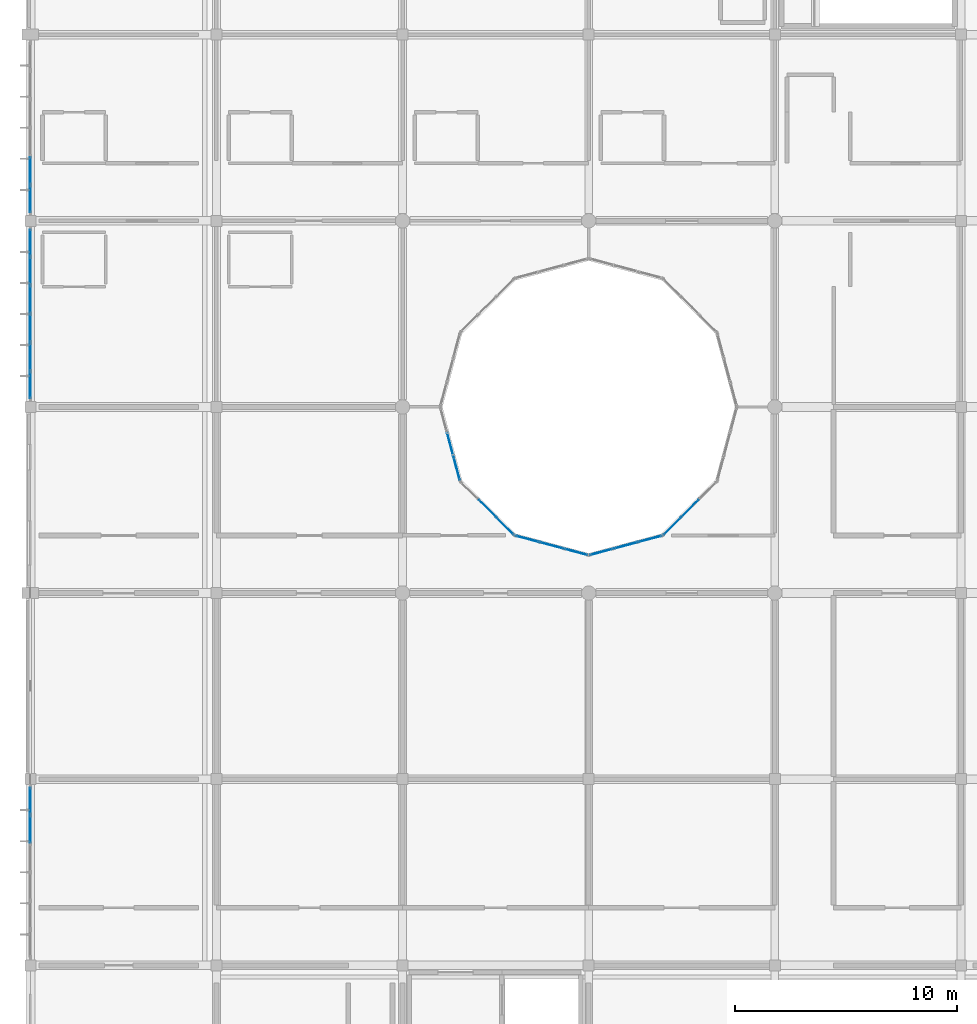
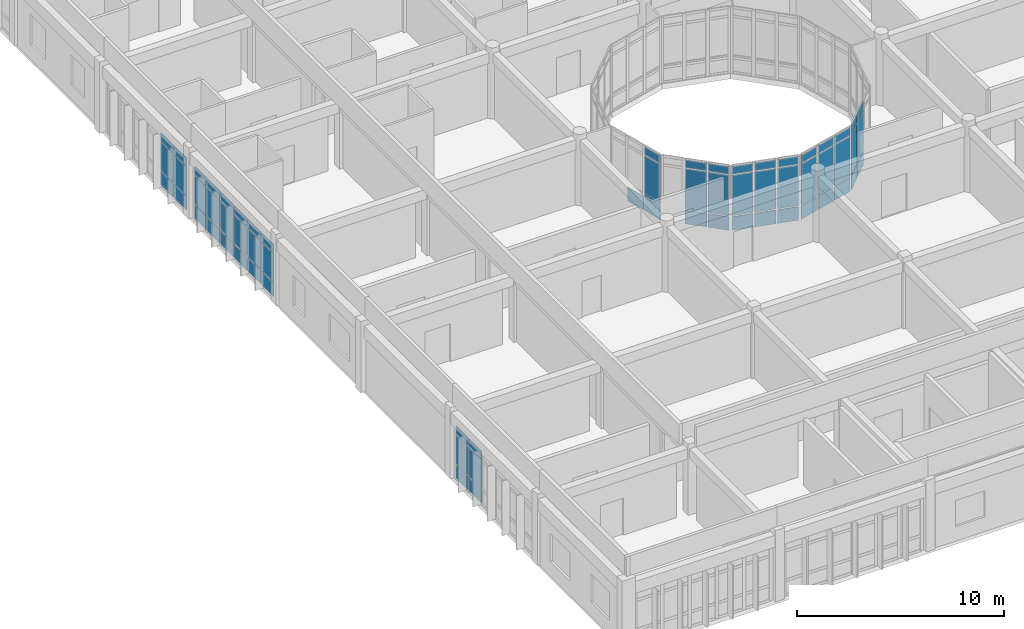
# One storey, part 61 of 119: 64 plates, 8 elements without a shape of their own.
"""IFC4 building model written with IfcOpenShell, lengths in metres."""

from ifc_helpers import new_model, si_unit, direction, frame, origin, origin_2d, place, context, subcontext, project, spatial, rectangle, extrude, material, layer, layer_set, type_object, element, aggregate, save


model = new_model("IFC4")

# Units and contexts
model_context = context("Model", 3, precision=1e-05, world=origin(), true_north=direction((0.0, 1.0)))
body_context = subcontext(model_context, "Body", "Model", "MODEL_VIEW")
ifc_project = project(units=[si_unit("LENGTHUNIT", "METRE"), si_unit("AREAUNIT", "SQUARE_METRE"), si_unit("VOLUMEUNIT", "CUBIC_METRE"), si_unit("PLANEANGLEUNIT", "RADIAN"), si_unit("MASSUNIT", "GRAM", prefix="KILO")], contexts=[model_context])

# Site, building, storey
site_placement = place(None, origin())
site = spatial("IfcSite", under=ifc_project, at=site_placement, CompositionType="ELEMENT")
building_placement = place(site_placement, origin())
building = spatial("IfcBuilding", under=site, at=building_placement, Name="Bramfleet General Hospital", CompositionType="ELEMENT")
storey_placement = place(building_placement, frame((0.0, 0.0, 14.39990234375)))
storey = spatial("IfcBuildingStorey", under=building, at=storey_placement, Name="L03", CompositionType="ELEMENT", Elevation=14.39990234375)

# Curtain wall, plates
ifc_material_1 = material(Name="Anodised aluminium and low-E triple glazing", Category="aluminium")
ifc_layer_1 = layer(ifc_material_1, 0.179931640625, Name="CWT-CW-16")
ifc_layer_set_1 = layer_set([ifc_layer_1], Name="Anodised aluminium and low-E triple glazing")
curtain_wall_type_1 = type_object("IfcCurtainWallType", Name="CWT-CW-16", PredefinedType="USERDEFINED", material=ifc_layer_set_1)
curtain_wall_1_placement = place(storey_placement, origin())
curtain_wall_1 = element("IfcCurtainWall", 1, at=curtain_wall_1_placement, inside=storey, type_object=curtain_wall_type_1, Name="L03 Curtain Wall 142", ObjectType="Stick curtain wall", PredefinedType="USERDEFINED")
ifc_material_2 = material(Name="Low-E laminated safety glass", Category="glass")
ifc_layer_2 = layer(ifc_material_2, 0.031982421875, Name="CWP-GLZ-2")
ifc_layer_set_2 = layer_set([ifc_layer_2], Name="Low-E laminated safety glass")
plate_type_1 = type_object("IfcPlateType", Name="CWP-GLZ-2", PredefinedType="CURTAIN_PANEL", material=ifc_layer_set_2)
plate_1_placement = place(storey_placement, frame((0.0, 64.9375, 0.06494140625), z_axis=(0.0, 0.0, 1.0), x_axis=(0.0, 1.0, 0.0)))
plate_1 = element("IfcPlate", 2, at=plate_1_placement, type_object=plate_type_1, Name="CW-16 panel 5.1", PredefinedType="CURTAIN_PANEL", context=body_context, shape_type="SweptSolid", body=[
    extrude(rectangle(XDim=1.2216796875, YDim=0.031982421875, at=origin_2d()), origin(), (0.0, 0.0, 1.0), 0.802490234375),
])
plate_2_placement = place(storey_placement, frame((0.0, 64.9375, 0.9326171875), z_axis=(0.0, 0.0, 1.0), x_axis=(0.0, 1.0, 0.0)))
plate_2 = element("IfcPlate", 3, at=plate_2_placement, type_object=plate_type_1, Name="CW-16 panel 5.2", PredefinedType="CURTAIN_PANEL", context=body_context, shape_type="SweptSolid", body=[
    extrude(rectangle(XDim=1.2216796875, YDim=0.031982421875, at=origin_2d()), origin(), (0.0, 0.0, 1.0), 1.675048828125),
])
plate_3_placement = place(storey_placement, frame((0.0, 64.9375, 2.6728515625), z_axis=(0.0, 0.0, 1.0), x_axis=(0.0, 1.0, 0.0)))
plate_3 = element("IfcPlate", 4, at=plate_3_placement, type_object=plate_type_1, Name="CW-16 panel 5.3", PredefinedType="CURTAIN_PANEL", context=body_context, shape_type="SweptSolid", body=[
    extrude(rectangle(XDim=1.2216796875, YDim=0.031982421875, at=origin_2d()), origin(), (0.0, 0.0, 1.0), 0.452392578125),
])
plate_4_placement = place(storey_placement, frame((0.0, 66.211669921875, 0.06494140625), z_axis=(0.0, 0.0, 1.0), x_axis=(0.0, 1.0, 0.0)))
plate_4 = element("IfcPlate", 5, at=plate_4_placement, type_object=plate_type_1, Name="CW-16 panel 6.1", PredefinedType="CURTAIN_PANEL", context=body_context, shape_type="SweptSolid", body=[
    extrude(rectangle(XDim=1.186767578125, YDim=0.031982421875, at=origin_2d()), origin(), (0.0, 0.0, 1.0), 0.802490234375),
])
plate_5_placement = place(storey_placement, frame((0.0, 66.211669921875, 0.9326171875), z_axis=(0.0, 0.0, 1.0), x_axis=(0.0, 1.0, 0.0)))
plate_5 = element("IfcPlate", 6, at=plate_5_placement, type_object=plate_type_1, Name="CW-16 panel 6.2", PredefinedType="CURTAIN_PANEL", context=body_context, shape_type="SweptSolid", body=[
    extrude(rectangle(XDim=1.186767578125, YDim=0.031982421875, at=origin_2d()), origin(), (0.0, 0.0, 1.0), 1.675048828125),
])
plate_6_placement = place(storey_placement, frame((0.0, 66.211669921875, 2.6728515625), z_axis=(0.0, 0.0, 1.0), x_axis=(0.0, 1.0, 0.0)))
plate_6 = element("IfcPlate", 7, at=plate_6_placement, type_object=plate_type_1, Name="CW-16 panel 6.3", PredefinedType="CURTAIN_PANEL", context=body_context, shape_type="SweptSolid", body=[
    extrude(rectangle(XDim=1.186767578125, YDim=0.031982421875, at=origin_2d()), origin(), (0.0, 0.0, 1.0), 0.452392578125),
])
aggregate(curtain_wall_1, [plate_1, plate_2, plate_3, plate_4, plate_5, plate_6])

ifc_layer_3 = layer(ifc_material_1, 0.179931640625, Name="CWT-CW-17")
ifc_layer_set_3 = layer_set([ifc_layer_3], Name="Anodised aluminium and low-E triple glazing")
curtain_wall_type_2 = type_object("IfcCurtainWallType", Name="CWT-CW-17", PredefinedType="USERDEFINED", material=ifc_layer_set_3)
curtain_wall_2_placement = place(storey_placement, origin())
curtain_wall_2 = element("IfcCurtainWall", 8, at=curtain_wall_2_placement, inside=storey, type_object=curtain_wall_type_2, Name="L03 West Clinical Light Court Curtain Wall 1.1", ObjectType="Stick curtain wall", PredefinedType="USERDEFINED")
plate_7_placement = place(storey_placement, frame((18.948974609375, 82.324951171875, 0.06494140625), z_axis=(0.0, 0.0, 1.0), x_axis=(0.25891863407, -0.965899136003, 0.0)))
plate_7 = element("IfcPlate", 9, at=plate_7_placement, type_object=plate_type_1, Name="CW-17 panel 2.1", PredefinedType="CURTAIN_PANEL", context=body_context, shape_type="SweptSolid", body=[
    extrude(rectangle(XDim=1.086181640625, YDim=0.031982421875, at=origin_2d()), origin(), (0.0, 0.0, 1.0), 0.802490234375),
])
plate_8_placement = place(storey_placement, frame((19.243896484375, 81.225341796875, 0.06494140625), z_axis=(0.0, 0.0, 1.0), x_axis=(0.25891863407, -0.965899136003, 0.0)))
plate_8 = element("IfcPlate", 10, at=plate_8_placement, type_object=plate_type_1, Name="CW-17 panel 3.1", PredefinedType="CURTAIN_PANEL", context=body_context, shape_type="SweptSolid", body=[
    extrude(rectangle(XDim=1.051025390625, YDim=0.031982421875, at=origin_2d()), origin(), (0.0, 0.0, 1.0), 0.802490234375),
])
plate_9_placement = place(storey_placement, frame((19.243896484375, 81.225341796875, 0.9326171875), z_axis=(0.0, 0.0, 1.0), x_axis=(0.25891863407, -0.965899136003, 0.0)))
plate_9 = element("IfcPlate", 11, at=plate_9_placement, type_object=plate_type_1, Name="CW-17 panel 3.2", PredefinedType="CURTAIN_PANEL", context=body_context, shape_type="SweptSolid", body=[
    extrude(rectangle(XDim=1.051025390625, YDim=0.031982421875, at=origin_2d()), origin(), (0.0, 0.0, 1.0), 2.375),
])
plate_10_placement = place(storey_placement, frame((19.243896484375, 81.225341796875, 3.37255859375), z_axis=(0.0, 0.0, 1.0), x_axis=(0.25891863407, -0.965899136003, 0.0)))
plate_10 = element("IfcPlate", 12, at=plate_10_placement, type_object=plate_type_1, Name="CW-17 panel 3.3", PredefinedType="CURTAIN_PANEL", context=body_context, shape_type="SweptSolid", body=[
    extrude(rectangle(XDim=1.051025390625, YDim=0.031982421875, at=origin_2d()), origin(), (0.0, 0.0, 1.0), 0.452392578125),
])
aggregate(curtain_wall_2, [plate_7, plate_8, plate_9, plate_10])

ifc_layer_4 = layer(ifc_material_1, 0.179931640625, Name="CWT-CW-18")
ifc_layer_set_4 = layer_set([ifc_layer_4], Name="Anodised aluminium and low-E triple glazing")
curtain_wall_type_3 = type_object("IfcCurtainWallType", Name="CWT-CW-18", PredefinedType="USERDEFINED", material=ifc_layer_set_4)
curtain_wall_3_placement = place(storey_placement, origin())
curtain_wall_3 = element("IfcCurtainWall", 13, at=curtain_wall_3_placement, inside=storey, type_object=curtain_wall_type_3, Name="L03 West Clinical Light Court Curtain Wall 2.1", ObjectType="Stick curtain wall", PredefinedType="USERDEFINED")
plate_11_placement = place(storey_placement, frame((20.6240234375, 79.424072265625, 0.06494140625), z_axis=(0.0, 0.0, 1.0), x_axis=(0.707106781187, -0.707106781187, 0.0)))
plate_11 = element("IfcPlate", 14, at=plate_11_placement, type_object=plate_type_1, Name="CW-18 panel 2.1", PredefinedType="CURTAIN_PANEL", context=body_context, shape_type="SweptSolid", body=[
    extrude(rectangle(XDim=1.0859375, YDim=0.031982421875, at=origin_2d()), origin(), (0.0, 0.0, 1.0), 0.802490234375),
])
plate_12_placement = place(storey_placement, frame((20.6240234375, 79.424072265625, 0.9326171875), z_axis=(0.0, 0.0, 1.0), x_axis=(0.707106781187, -0.707106781187, 0.0)))
plate_12 = element("IfcPlate", 15, at=plate_12_placement, type_object=plate_type_1, Name="CW-18 panel 2.2", PredefinedType="CURTAIN_PANEL", context=body_context, shape_type="SweptSolid", body=[
    extrude(rectangle(XDim=1.0859375, YDim=0.031982421875, at=origin_2d()), origin(), (0.0, 0.0, 1.0), 2.375),
])
plate_13_placement = place(storey_placement, frame((20.6240234375, 79.424072265625, 3.37255859375), z_axis=(0.0, 0.0, 1.0), x_axis=(0.707106781187, -0.707106781187, 0.0)))
plate_13 = element("IfcPlate", 16, at=plate_13_placement, type_object=plate_type_1, Name="CW-18 panel 2.3", PredefinedType="CURTAIN_PANEL", context=body_context, shape_type="SweptSolid", body=[
    extrude(rectangle(XDim=1.0859375, YDim=0.031982421875, at=origin_2d()), origin(), (0.0, 0.0, 1.0), 0.452392578125),
])
plate_14_placement = place(storey_placement, frame((21.428955078125, 78.619140625, 0.06494140625), z_axis=(0.0, 0.0, 1.0), x_axis=(0.707106781187, -0.707106781187, 0.0)))
plate_14 = element("IfcPlate", 17, at=plate_14_placement, type_object=plate_type_1, Name="CW-18 panel 3.1", PredefinedType="CURTAIN_PANEL", context=body_context, shape_type="SweptSolid", body=[
    extrude(rectangle(XDim=1.05078125, YDim=0.031982421875, at=origin_2d()), origin(), (0.0, 0.0, 1.0), 0.802490234375),
])
plate_15_placement = place(storey_placement, frame((21.428955078125, 78.619140625, 0.9326171875), z_axis=(0.0, 0.0, 1.0), x_axis=(0.707106781187, -0.707106781187, 0.0)))
plate_15 = element("IfcPlate", 18, at=plate_15_placement, type_object=plate_type_1, Name="CW-18 panel 3.2", PredefinedType="CURTAIN_PANEL", context=body_context, shape_type="SweptSolid", body=[
    extrude(rectangle(XDim=1.05078125, YDim=0.031982421875, at=origin_2d()), origin(), (0.0, 0.0, 1.0), 2.375),
])
plate_16_placement = place(storey_placement, frame((21.428955078125, 78.619140625, 3.37255859375), z_axis=(0.0, 0.0, 1.0), x_axis=(0.707106781187, -0.707106781187, 0.0)))
plate_16 = element("IfcPlate", 19, at=plate_16_placement, type_object=plate_type_1, Name="CW-18 panel 3.3", PredefinedType="CURTAIN_PANEL", context=body_context, shape_type="SweptSolid", body=[
    extrude(rectangle(XDim=1.05078125, YDim=0.031982421875, at=origin_2d()), origin(), (0.0, 0.0, 1.0), 0.452392578125),
])
aggregate(curtain_wall_3, [plate_11, plate_12, plate_13, plate_14, plate_15, plate_16])

ifc_layer_5 = layer(ifc_material_1, 0.179931640625, Name="CWT-CW-11")
ifc_layer_set_5 = layer_set([ifc_layer_5], Name="Anodised aluminium and low-E triple glazing")
curtain_wall_type_4 = type_object("IfcCurtainWallType", Name="CWT-CW-11", PredefinedType="USERDEFINED", material=ifc_layer_set_5)
curtain_wall_4_placement = place(storey_placement, origin())
curtain_wall_4 = element("IfcCurtainWall", 20, at=curtain_wall_4_placement, inside=storey, type_object=curtain_wall_type_4, Name="L03 West Clinical Light Court Curtain Wall 3.1", ObjectType="Stick curtain wall", PredefinedType="USERDEFINED")
plate_17_placement = place(storey_placement, frame((22.42529296875, 78.043701171875, 0.06494140625), z_axis=(0.0, 0.0, 1.0), x_axis=(0.965899136003, -0.25891863407, 0.0)))
plate_17 = element("IfcPlate", 21, at=plate_17_placement, type_object=plate_type_1, Name="CW-11 panel 1.1", PredefinedType="CURTAIN_PANEL", context=body_context, shape_type="SweptSolid", body=[
    extrude(rectangle(XDim=1.051025390625, YDim=0.031982421875, at=origin_2d()), origin(), (0.0, 0.0, 1.0), 0.802490234375),
])
plate_18_placement = place(storey_placement, frame((22.42529296875, 78.043701171875, 0.9326171875), z_axis=(0.0, 0.0, 1.0), x_axis=(0.965899136003, -0.25891863407, 0.0)))
plate_18 = element("IfcPlate", 22, at=plate_18_placement, type_object=plate_type_1, Name="CW-11 panel 1.2", PredefinedType="CURTAIN_PANEL", context=body_context, shape_type="SweptSolid", body=[
    extrude(rectangle(XDim=1.051025390625, YDim=0.031982421875, at=origin_2d()), origin(), (0.0, 0.0, 1.0), 2.375),
])
plate_19_placement = place(storey_placement, frame((22.42529296875, 78.043701171875, 3.37255859375), z_axis=(0.0, 0.0, 1.0), x_axis=(0.965899136003, -0.25891863407, 0.0)))
plate_19 = element("IfcPlate", 23, at=plate_19_placement, type_object=plate_type_1, Name="CW-11 panel 1.3", PredefinedType="CURTAIN_PANEL", context=body_context, shape_type="SweptSolid", body=[
    extrude(rectangle(XDim=1.051025390625, YDim=0.031982421875, at=origin_2d()), origin(), (0.0, 0.0, 1.0), 0.452392578125),
])
plate_20_placement = place(storey_placement, frame((23.52490234375, 77.7490234375, 0.06494140625), z_axis=(0.0, 0.0, 1.0), x_axis=(0.965899136003, -0.25891863407, 0.0)))
plate_20 = element("IfcPlate", 24, at=plate_20_placement, type_object=plate_type_1, Name="CW-11 panel 2.1", PredefinedType="CURTAIN_PANEL", context=body_context, shape_type="SweptSolid", body=[
    extrude(rectangle(XDim=1.086181640625, YDim=0.031982421875, at=origin_2d()), origin(), (0.0, 0.0, 1.0), 0.802490234375),
])
plate_21_placement = place(storey_placement, frame((23.52490234375, 77.7490234375, 0.9326171875), z_axis=(0.0, 0.0, 1.0), x_axis=(0.965899136003, -0.25891863407, 0.0)))
plate_21 = element("IfcPlate", 25, at=plate_21_placement, type_object=plate_type_1, Name="CW-11 panel 2.2", PredefinedType="CURTAIN_PANEL", context=body_context, shape_type="SweptSolid", body=[
    extrude(rectangle(XDim=1.086181640625, YDim=0.031982421875, at=origin_2d()), origin(), (0.0, 0.0, 1.0), 2.375),
])
plate_22_placement = place(storey_placement, frame((23.52490234375, 77.7490234375, 3.37255859375), z_axis=(0.0, 0.0, 1.0), x_axis=(0.965899136003, -0.25891863407, 0.0)))
plate_22 = element("IfcPlate", 26, at=plate_22_placement, type_object=plate_type_1, Name="CW-11 panel 2.3", PredefinedType="CURTAIN_PANEL", context=body_context, shape_type="SweptSolid", body=[
    extrude(rectangle(XDim=1.086181640625, YDim=0.031982421875, at=origin_2d()), origin(), (0.0, 0.0, 1.0), 0.452392578125),
])
plate_23_placement = place(storey_placement, frame((24.624755859375, 77.4541015625, 0.06494140625), z_axis=(0.0, 0.0, 1.0), x_axis=(0.965899136003, -0.25891863407, 0.0)))
plate_23 = element("IfcPlate", 27, at=plate_23_placement, type_object=plate_type_1, Name="CW-11 panel 3.1", PredefinedType="CURTAIN_PANEL", context=body_context, shape_type="SweptSolid", body=[
    extrude(rectangle(XDim=1.051025390625, YDim=0.031982421875, at=origin_2d()), origin(), (0.0, 0.0, 1.0), 0.802490234375),
])
plate_24_placement = place(storey_placement, frame((24.624755859375, 77.4541015625, 0.9326171875), z_axis=(0.0, 0.0, 1.0), x_axis=(0.965899136003, -0.25891863407, 0.0)))
plate_24 = element("IfcPlate", 28, at=plate_24_placement, type_object=plate_type_1, Name="CW-11 panel 3.2", PredefinedType="CURTAIN_PANEL", context=body_context, shape_type="SweptSolid", body=[
    extrude(rectangle(XDim=1.051025390625, YDim=0.031982421875, at=origin_2d()), origin(), (0.0, 0.0, 1.0), 2.375),
])
plate_25_placement = place(storey_placement, frame((24.624755859375, 77.4541015625, 3.37255859375), z_axis=(0.0, 0.0, 1.0), x_axis=(0.965899136003, -0.25891863407, 0.0)))
plate_25 = element("IfcPlate", 29, at=plate_25_placement, type_object=plate_type_1, Name="CW-11 panel 3.3", PredefinedType="CURTAIN_PANEL", context=body_context, shape_type="SweptSolid", body=[
    extrude(rectangle(XDim=1.051025390625, YDim=0.031982421875, at=origin_2d()), origin(), (0.0, 0.0, 1.0), 0.452392578125),
])
aggregate(curtain_wall_4, [plate_17, plate_18, plate_19, plate_20, plate_21, plate_22, plate_23, plate_24, plate_25])

ifc_layer_6 = layer(ifc_material_1, 0.179931640625, Name="CWT-CW-12")
ifc_layer_set_6 = layer_set([ifc_layer_6], Name="Anodised aluminium and low-E triple glazing")
curtain_wall_type_5 = type_object("IfcCurtainWallType", Name="CWT-CW-12", PredefinedType="USERDEFINED", material=ifc_layer_set_6)
curtain_wall_5_placement = place(storey_placement, origin())
curtain_wall_5 = element("IfcCurtainWall", 30, at=curtain_wall_5_placement, inside=storey, type_object=curtain_wall_type_5, Name="L03 West Clinical Light Court Curtain Wall 4.1", ObjectType="Stick curtain wall", PredefinedType="USERDEFINED")
plate_26_placement = place(storey_placement, frame((25.775146484375, 77.4541015625, 0.06494140625), z_axis=(0.0, 0.0, 1.0), x_axis=(0.965899136003, 0.25891863407, 0.0)))
plate_26 = element("IfcPlate", 31, at=plate_26_placement, type_object=plate_type_1, Name="CW-12 panel 1.1", PredefinedType="CURTAIN_PANEL", context=body_context, shape_type="SweptSolid", body=[
    extrude(rectangle(XDim=1.051025390625, YDim=0.031982421875, at=origin_2d()), origin(), (0.0, 0.0, 1.0), 0.802490234375),
])
plate_27_placement = place(storey_placement, frame((25.775146484375, 77.4541015625, 0.9326171875), z_axis=(0.0, 0.0, 1.0), x_axis=(0.965899136003, 0.25891863407, 0.0)))
plate_27 = element("IfcPlate", 32, at=plate_27_placement, type_object=plate_type_1, Name="CW-12 panel 1.2", PredefinedType="CURTAIN_PANEL", context=body_context, shape_type="SweptSolid", body=[
    extrude(rectangle(XDim=1.051025390625, YDim=0.031982421875, at=origin_2d()), origin(), (0.0, 0.0, 1.0), 2.375),
])
plate_28_placement = place(storey_placement, frame((25.775146484375, 77.4541015625, 3.37255859375), z_axis=(0.0, 0.0, 1.0), x_axis=(0.965899136003, 0.25891863407, 0.0)))
plate_28 = element("IfcPlate", 33, at=plate_28_placement, type_object=plate_type_1, Name="CW-12 panel 1.3", PredefinedType="CURTAIN_PANEL", context=body_context, shape_type="SweptSolid", body=[
    extrude(rectangle(XDim=1.051025390625, YDim=0.031982421875, at=origin_2d()), origin(), (0.0, 0.0, 1.0), 0.452392578125),
])
plate_29_placement = place(storey_placement, frame((26.875, 77.7490234375, 0.06494140625), z_axis=(0.0, 0.0, 1.0), x_axis=(0.965899136003, 0.25891863407, 0.0)))
plate_29 = element("IfcPlate", 34, at=plate_29_placement, type_object=plate_type_1, Name="CW-12 panel 2.1", PredefinedType="CURTAIN_PANEL", context=body_context, shape_type="SweptSolid", body=[
    extrude(rectangle(XDim=1.086181640625, YDim=0.031982421875, at=origin_2d()), origin(), (0.0, 0.0, 1.0), 0.802490234375),
])
plate_30_placement = place(storey_placement, frame((26.875, 77.7490234375, 0.9326171875), z_axis=(0.0, 0.0, 1.0), x_axis=(0.965899136003, 0.25891863407, 0.0)))
plate_30 = element("IfcPlate", 35, at=plate_30_placement, type_object=plate_type_1, Name="CW-12 panel 2.2", PredefinedType="CURTAIN_PANEL", context=body_context, shape_type="SweptSolid", body=[
    extrude(rectangle(XDim=1.086181640625, YDim=0.031982421875, at=origin_2d()), origin(), (0.0, 0.0, 1.0), 2.375),
])
plate_31_placement = place(storey_placement, frame((26.875, 77.7490234375, 3.37255859375), z_axis=(0.0, 0.0, 1.0), x_axis=(0.965899136003, 0.25891863407, 0.0)))
plate_31 = element("IfcPlate", 36, at=plate_31_placement, type_object=plate_type_1, Name="CW-12 panel 2.3", PredefinedType="CURTAIN_PANEL", context=body_context, shape_type="SweptSolid", body=[
    extrude(rectangle(XDim=1.086181640625, YDim=0.031982421875, at=origin_2d()), origin(), (0.0, 0.0, 1.0), 0.452392578125),
])
plate_32_placement = place(storey_placement, frame((27.974853515625, 78.043701171875, 0.06494140625), z_axis=(0.0, 0.0, 1.0), x_axis=(0.965899136003, 0.25891863407, 0.0)))
plate_32 = element("IfcPlate", 37, at=plate_32_placement, type_object=plate_type_1, Name="CW-12 panel 3.1", PredefinedType="CURTAIN_PANEL", context=body_context, shape_type="SweptSolid", body=[
    extrude(rectangle(XDim=1.051025390625, YDim=0.031982421875, at=origin_2d()), origin(), (0.0, 0.0, 1.0), 0.802490234375),
])
plate_33_placement = place(storey_placement, frame((27.974853515625, 78.043701171875, 0.9326171875), z_axis=(0.0, 0.0, 1.0), x_axis=(0.965899136003, 0.25891863407, 0.0)))
plate_33 = element("IfcPlate", 38, at=plate_33_placement, type_object=plate_type_1, Name="CW-12 panel 3.2", PredefinedType="CURTAIN_PANEL", context=body_context, shape_type="SweptSolid", body=[
    extrude(rectangle(XDim=1.051025390625, YDim=0.031982421875, at=origin_2d()), origin(), (0.0, 0.0, 1.0), 2.375),
])
plate_34_placement = place(storey_placement, frame((27.974853515625, 78.043701171875, 3.37255859375), z_axis=(0.0, 0.0, 1.0), x_axis=(0.965899136003, 0.25891863407, 0.0)))
plate_34 = element("IfcPlate", 39, at=plate_34_placement, type_object=plate_type_1, Name="CW-12 panel 3.3", PredefinedType="CURTAIN_PANEL", context=body_context, shape_type="SweptSolid", body=[
    extrude(rectangle(XDim=1.051025390625, YDim=0.031982421875, at=origin_2d()), origin(), (0.0, 0.0, 1.0), 0.452392578125),
])
aggregate(curtain_wall_5, [plate_26, plate_27, plate_28, plate_29, plate_30, plate_31, plate_32, plate_33, plate_34])

ifc_layer_7 = layer(ifc_material_1, 0.179931640625, Name="CWT-CW-13")
ifc_layer_set_7 = layer_set([ifc_layer_7], Name="Anodised aluminium and low-E triple glazing")
curtain_wall_type_6 = type_object("IfcCurtainWallType", Name="CWT-CW-13", PredefinedType="USERDEFINED", material=ifc_layer_set_7)
curtain_wall_6_placement = place(storey_placement, origin())
curtain_wall_6 = element("IfcCurtainWall", 40, at=curtain_wall_6_placement, inside=storey, type_object=curtain_wall_type_6, Name="L03 West Clinical Light Court Curtain Wall 5.1", ObjectType="Stick curtain wall", PredefinedType="USERDEFINED")
plate_35_placement = place(storey_placement, frame((28.970947265625, 78.619140625, 0.06494140625), z_axis=(0.0, 0.0, 1.0), x_axis=(0.707106781187, 0.707106781187, 0.0)))
plate_35 = element("IfcPlate", 41, at=plate_35_placement, type_object=plate_type_1, Name="CW-13 panel 1.1", PredefinedType="CURTAIN_PANEL", context=body_context, shape_type="SweptSolid", body=[
    extrude(rectangle(XDim=1.05078125, YDim=0.031982421875, at=origin_2d()), origin(), (0.0, 0.0, 1.0), 0.802490234375),
])
plate_36_placement = place(storey_placement, frame((28.970947265625, 78.619140625, 0.9326171875), z_axis=(0.0, 0.0, 1.0), x_axis=(0.707106781187, 0.707106781187, 0.0)))
plate_36 = element("IfcPlate", 42, at=plate_36_placement, type_object=plate_type_1, Name="CW-13 panel 1.2", PredefinedType="CURTAIN_PANEL", context=body_context, shape_type="SweptSolid", body=[
    extrude(rectangle(XDim=1.05078125, YDim=0.031982421875, at=origin_2d()), origin(), (0.0, 0.0, 1.0), 2.375),
])
plate_37_placement = place(storey_placement, frame((28.970947265625, 78.619140625, 3.37255859375), z_axis=(0.0, 0.0, 1.0), x_axis=(0.707106781187, 0.707106781187, 0.0)))
plate_37 = element("IfcPlate", 43, at=plate_37_placement, type_object=plate_type_1, Name="CW-13 panel 1.3", PredefinedType="CURTAIN_PANEL", context=body_context, shape_type="SweptSolid", body=[
    extrude(rectangle(XDim=1.05078125, YDim=0.031982421875, at=origin_2d()), origin(), (0.0, 0.0, 1.0), 0.452392578125),
])
plate_38_placement = place(storey_placement, frame((29.77587890625, 79.424072265625, 0.06494140625), z_axis=(0.0, 0.0, 1.0), x_axis=(0.707106781187, 0.707106781187, 0.0)))
plate_38 = element("IfcPlate", 44, at=plate_38_placement, type_object=plate_type_1, Name="CW-13 panel 2.1", PredefinedType="CURTAIN_PANEL", context=body_context, shape_type="SweptSolid", body=[
    extrude(rectangle(XDim=1.0859375, YDim=0.031982421875, at=origin_2d()), origin(), (0.0, 0.0, 1.0), 0.802490234375),
])
plate_39_placement = place(storey_placement, frame((29.77587890625, 79.424072265625, 0.9326171875), z_axis=(0.0, 0.0, 1.0), x_axis=(0.707106781187, 0.707106781187, 0.0)))
plate_39 = element("IfcPlate", 45, at=plate_39_placement, type_object=plate_type_1, Name="CW-13 panel 2.2", PredefinedType="CURTAIN_PANEL", context=body_context, shape_type="SweptSolid", body=[
    extrude(rectangle(XDim=1.0859375, YDim=0.031982421875, at=origin_2d()), origin(), (0.0, 0.0, 1.0), 2.375),
])
plate_40_placement = place(storey_placement, frame((29.77587890625, 79.424072265625, 3.37255859375), z_axis=(0.0, 0.0, 1.0), x_axis=(0.707106781187, 0.707106781187, 0.0)))
plate_40 = element("IfcPlate", 46, at=plate_40_placement, type_object=plate_type_1, Name="CW-13 panel 2.3", PredefinedType="CURTAIN_PANEL", context=body_context, shape_type="SweptSolid", body=[
    extrude(rectangle(XDim=1.0859375, YDim=0.031982421875, at=origin_2d()), origin(), (0.0, 0.0, 1.0), 0.452392578125),
])
aggregate(curtain_wall_6, [plate_35, plate_36, plate_37, plate_38, plate_39, plate_40])

curtain_wall_7_placement = place(storey_placement, origin())
curtain_wall_7 = element("IfcCurtainWall", 47, at=curtain_wall_7_placement, inside=storey, type_object=curtain_wall_type_2, Name="L03 Curtain Wall 143", ObjectType="Stick curtain wall", PredefinedType="USERDEFINED")
ifc_layer_8 = layer(ifc_material_2, 0.035888671875, Name="CWP-GLZ-3")
ifc_layer_set_8 = layer_set([ifc_layer_8], Name="Low-E laminated safety glass")
plate_type_2 = type_object("IfcPlateType", Name="CWP-GLZ-3", PredefinedType="CURTAIN_PANEL", material=ifc_layer_set_8)
plate_41_placement = place(storey_placement, frame((0.0, 84.98828125, 0.06494140625), z_axis=(0.0, 0.0, 1.0), x_axis=(0.0, 1.0, 0.0)))
plate_41 = element("IfcPlate", 48, at=plate_41_placement, type_object=plate_type_2, Name="CW-17 panel 1.1", PredefinedType="CURTAIN_PANEL", context=body_context, shape_type="SweptSolid", body=[
    extrude(rectangle(XDim=1.186767578125, YDim=0.035888671875, at=origin_2d()), origin(), (0.0, 0.0, 1.0), 0.802490234375),
])
plate_42_placement = place(storey_placement, frame((0.0, 84.98828125, 0.9326171875), z_axis=(0.0, 0.0, 1.0), x_axis=(0.0, 1.0, 0.0)))
plate_42 = element("IfcPlate", 49, at=plate_42_placement, type_object=plate_type_2, Name="CW-17 panel 1.2", PredefinedType="CURTAIN_PANEL", context=body_context, shape_type="SweptSolid", body=[
    extrude(rectangle(XDim=1.186767578125, YDim=0.035888671875, at=origin_2d()), origin(), (0.0, 0.0, 1.0), 1.675048828125),
])
plate_43_placement = place(storey_placement, frame((0.0, 84.98828125, 2.6728515625), z_axis=(0.0, 0.0, 1.0), x_axis=(0.0, 1.0, 0.0)))
plate_43 = element("IfcPlate", 50, at=plate_43_placement, type_object=plate_type_2, Name="CW-17 panel 1.3", PredefinedType="CURTAIN_PANEL", context=body_context, shape_type="SweptSolid", body=[
    extrude(rectangle(XDim=1.186767578125, YDim=0.035888671875, at=origin_2d()), origin(), (0.0, 0.0, 1.0), 0.452392578125),
])
plate_44_placement = place(storey_placement, frame((0.0, 86.262451171875, 0.06494140625), z_axis=(0.0, 0.0, 1.0), x_axis=(0.0, 1.0, 0.0)))
plate_44 = element("IfcPlate", 51, at=plate_44_placement, type_object=plate_type_2, Name="CW-17 panel 2.1", PredefinedType="CURTAIN_PANEL", context=body_context, shape_type="SweptSolid", body=[
    extrude(rectangle(XDim=1.2216796875, YDim=0.035888671875, at=origin_2d()), origin(), (0.0, 0.0, 1.0), 0.802490234375),
])
plate_45_placement = place(storey_placement, frame((0.0, 86.262451171875, 0.9326171875), z_axis=(0.0, 0.0, 1.0), x_axis=(0.0, 1.0, 0.0)))
plate_45 = element("IfcPlate", 52, at=plate_45_placement, type_object=plate_type_2, Name="CW-17 panel 2.2", PredefinedType="CURTAIN_PANEL", context=body_context, shape_type="SweptSolid", body=[
    extrude(rectangle(XDim=1.2216796875, YDim=0.035888671875, at=origin_2d()), origin(), (0.0, 0.0, 1.0), 1.675048828125),
])
plate_46_placement = place(storey_placement, frame((0.0, 86.262451171875, 2.6728515625), z_axis=(0.0, 0.0, 1.0), x_axis=(0.0, 1.0, 0.0)))
plate_46 = element("IfcPlate", 53, at=plate_46_placement, type_object=plate_type_2, Name="CW-17 panel 2.3", PredefinedType="CURTAIN_PANEL", context=body_context, shape_type="SweptSolid", body=[
    extrude(rectangle(XDim=1.2216796875, YDim=0.035888671875, at=origin_2d()), origin(), (0.0, 0.0, 1.0), 0.452392578125),
])
plate_47_placement = place(storey_placement, frame((0.0, 87.55419921875, 0.06494140625), z_axis=(0.0, 0.0, 1.0), x_axis=(0.0, 1.0, 0.0)))
plate_47 = element("IfcPlate", 54, at=plate_47_placement, type_object=plate_type_2, Name="CW-17 panel 3.1", PredefinedType="CURTAIN_PANEL", context=body_context, shape_type="SweptSolid", body=[
    extrude(rectangle(XDim=1.2216796875, YDim=0.035888671875, at=origin_2d()), origin(), (0.0, 0.0, 1.0), 0.802490234375),
])
plate_48_placement = place(storey_placement, frame((0.0, 87.55419921875, 0.9326171875), z_axis=(0.0, 0.0, 1.0), x_axis=(0.0, 1.0, 0.0)))
plate_48 = element("IfcPlate", 55, at=plate_48_placement, type_object=plate_type_2, Name="CW-17 panel 3.2", PredefinedType="CURTAIN_PANEL", context=body_context, shape_type="SweptSolid", body=[
    extrude(rectangle(XDim=1.2216796875, YDim=0.035888671875, at=origin_2d()), origin(), (0.0, 0.0, 1.0), 1.675048828125),
])
plate_49_placement = place(storey_placement, frame((0.0, 87.55419921875, 2.6728515625), z_axis=(0.0, 0.0, 1.0), x_axis=(0.0, 1.0, 0.0)))
plate_49 = element("IfcPlate", 56, at=plate_49_placement, type_object=plate_type_2, Name="CW-17 panel 3.3", PredefinedType="CURTAIN_PANEL", context=body_context, shape_type="SweptSolid", body=[
    extrude(rectangle(XDim=1.2216796875, YDim=0.035888671875, at=origin_2d()), origin(), (0.0, 0.0, 1.0), 0.452392578125),
])
plate_50_placement = place(storey_placement, frame((0.0, 88.845947265625, 0.06494140625), z_axis=(0.0, 0.0, 1.0), x_axis=(0.0, 1.0, 0.0)))
plate_50 = element("IfcPlate", 57, at=plate_50_placement, type_object=plate_type_2, Name="CW-17 panel 4.1", PredefinedType="CURTAIN_PANEL", context=body_context, shape_type="SweptSolid", body=[
    extrude(rectangle(XDim=1.2216796875, YDim=0.035888671875, at=origin_2d()), origin(), (0.0, 0.0, 1.0), 0.802490234375),
])
plate_51_placement = place(storey_placement, frame((0.0, 88.845947265625, 0.9326171875), z_axis=(0.0, 0.0, 1.0), x_axis=(0.0, 1.0, 0.0)))
plate_51 = element("IfcPlate", 58, at=plate_51_placement, type_object=plate_type_2, Name="CW-17 panel 4.2", PredefinedType="CURTAIN_PANEL", context=body_context, shape_type="SweptSolid", body=[
    extrude(rectangle(XDim=1.2216796875, YDim=0.035888671875, at=origin_2d()), origin(), (0.0, 0.0, 1.0), 1.675048828125),
])
plate_52_placement = place(storey_placement, frame((0.0, 88.845947265625, 2.6728515625), z_axis=(0.0, 0.0, 1.0), x_axis=(0.0, 1.0, 0.0)))
plate_52 = element("IfcPlate", 59, at=plate_52_placement, type_object=plate_type_2, Name="CW-17 panel 4.3", PredefinedType="CURTAIN_PANEL", context=body_context, shape_type="SweptSolid", body=[
    extrude(rectangle(XDim=1.2216796875, YDim=0.035888671875, at=origin_2d()), origin(), (0.0, 0.0, 1.0), 0.452392578125),
])
plate_53_placement = place(storey_placement, frame((0.0, 90.137451171875, 0.06494140625), z_axis=(0.0, 0.0, 1.0), x_axis=(0.0, 1.0, 0.0)))
plate_53 = element("IfcPlate", 60, at=plate_53_placement, type_object=plate_type_2, Name="CW-17 panel 5.1", PredefinedType="CURTAIN_PANEL", context=body_context, shape_type="SweptSolid", body=[
    extrude(rectangle(XDim=1.2216796875, YDim=0.035888671875, at=origin_2d()), origin(), (0.0, 0.0, 1.0), 0.802490234375),
])
plate_54_placement = place(storey_placement, frame((0.0, 90.137451171875, 0.9326171875), z_axis=(0.0, 0.0, 1.0), x_axis=(0.0, 1.0, 0.0)))
plate_54 = element("IfcPlate", 61, at=plate_54_placement, type_object=plate_type_2, Name="CW-17 panel 5.2", PredefinedType="CURTAIN_PANEL", context=body_context, shape_type="SweptSolid", body=[
    extrude(rectangle(XDim=1.2216796875, YDim=0.035888671875, at=origin_2d()), origin(), (0.0, 0.0, 1.0), 1.675048828125),
])
plate_55_placement = place(storey_placement, frame((0.0, 90.137451171875, 2.6728515625), z_axis=(0.0, 0.0, 1.0), x_axis=(0.0, 1.0, 0.0)))
plate_55 = element("IfcPlate", 62, at=plate_55_placement, type_object=plate_type_2, Name="CW-17 panel 5.3", PredefinedType="CURTAIN_PANEL", context=body_context, shape_type="SweptSolid", body=[
    extrude(rectangle(XDim=1.2216796875, YDim=0.035888671875, at=origin_2d()), origin(), (0.0, 0.0, 1.0), 0.452392578125),
])
plate_56_placement = place(storey_placement, frame((0.0, 91.41162109375, 0.06494140625), z_axis=(0.0, 0.0, 1.0), x_axis=(0.0, 1.0, 0.0)))
plate_56 = element("IfcPlate", 63, at=plate_56_placement, type_object=plate_type_2, Name="CW-17 panel 6.1", PredefinedType="CURTAIN_PANEL", context=body_context, shape_type="SweptSolid", body=[
    extrude(rectangle(XDim=1.186767578125, YDim=0.035888671875, at=origin_2d()), origin(), (0.0, 0.0, 1.0), 0.802490234375),
])
plate_57_placement = place(storey_placement, frame((0.0, 91.41162109375, 0.9326171875), z_axis=(0.0, 0.0, 1.0), x_axis=(0.0, 1.0, 0.0)))
plate_57 = element("IfcPlate", 64, at=plate_57_placement, type_object=plate_type_2, Name="CW-17 panel 6.2", PredefinedType="CURTAIN_PANEL", context=body_context, shape_type="SweptSolid", body=[
    extrude(rectangle(XDim=1.186767578125, YDim=0.035888671875, at=origin_2d()), origin(), (0.0, 0.0, 1.0), 1.675048828125),
])
plate_58_placement = place(storey_placement, frame((0.0, 91.41162109375, 2.6728515625), z_axis=(0.0, 0.0, 1.0), x_axis=(0.0, 1.0, 0.0)))
plate_58 = element("IfcPlate", 65, at=plate_58_placement, type_object=plate_type_2, Name="CW-17 panel 6.3", PredefinedType="CURTAIN_PANEL", context=body_context, shape_type="SweptSolid", body=[
    extrude(rectangle(XDim=1.186767578125, YDim=0.035888671875, at=origin_2d()), origin(), (0.0, 0.0, 1.0), 0.452392578125),
])
aggregate(curtain_wall_7, [plate_41, plate_42, plate_43, plate_44, plate_45, plate_46, plate_47, plate_48, plate_49, plate_50, plate_51, plate_52, plate_53, plate_54, plate_55, plate_56, plate_57, plate_58])

curtain_wall_8_placement = place(storey_placement, origin())
curtain_wall_8 = element("IfcCurtainWall", 66, at=curtain_wall_8_placement, inside=storey, type_object=curtain_wall_type_3, Name="L03 Curtain Wall 144", ObjectType="Stick curtain wall", PredefinedType="USERDEFINED")
ifc_layer_9 = layer(ifc_material_2, 0.0419921875, Name="CWP-GLZ-4")
ifc_layer_set_9 = layer_set([ifc_layer_9], Name="Low-E laminated safety glass")
plate_type_3 = type_object("IfcPlateType", Name="CWP-GLZ-4", PredefinedType="CURTAIN_PANEL", material=ifc_layer_set_9)
plate_59_placement = place(storey_placement, frame((0.0, 93.388427734375, 0.06494140625), z_axis=(0.0, 0.0, 1.0), x_axis=(0.0, 1.0, 0.0)))
plate_59 = element("IfcPlate", 67, at=plate_59_placement, type_object=plate_type_3, Name="CW-18 panel 1.1", PredefinedType="CURTAIN_PANEL", context=body_context, shape_type="SweptSolid", body=[
    extrude(rectangle(XDim=1.186767578125, YDim=0.0419921875, at=origin_2d()), origin(), (0.0, 0.0, 1.0), 0.802490234375),
])
plate_60_placement = place(storey_placement, frame((0.0, 93.388427734375, 0.9326171875), z_axis=(0.0, 0.0, 1.0), x_axis=(0.0, 1.0, 0.0)))
plate_60 = element("IfcPlate", 68, at=plate_60_placement, type_object=plate_type_3, Name="CW-18 panel 1.2", PredefinedType="CURTAIN_PANEL", context=body_context, shape_type="SweptSolid", body=[
    extrude(rectangle(XDim=1.186767578125, YDim=0.0419921875, at=origin_2d()), origin(), (0.0, 0.0, 1.0), 1.675048828125),
])
plate_61_placement = place(storey_placement, frame((0.0, 93.388427734375, 2.6728515625), z_axis=(0.0, 0.0, 1.0), x_axis=(0.0, 1.0, 0.0)))
plate_61 = element("IfcPlate", 69, at=plate_61_placement, type_object=plate_type_3, Name="CW-18 panel 1.3", PredefinedType="CURTAIN_PANEL", context=body_context, shape_type="SweptSolid", body=[
    extrude(rectangle(XDim=1.186767578125, YDim=0.0419921875, at=origin_2d()), origin(), (0.0, 0.0, 1.0), 0.452392578125),
])
plate_62_placement = place(storey_placement, frame((0.0, 94.66259765625, 0.06494140625), z_axis=(0.0, 0.0, 1.0), x_axis=(0.0, 1.0, 0.0)))
plate_62 = element("IfcPlate", 70, at=plate_62_placement, type_object=plate_type_3, Name="CW-18 panel 2.1", PredefinedType="CURTAIN_PANEL", context=body_context, shape_type="SweptSolid", body=[
    extrude(rectangle(XDim=1.2216796875, YDim=0.0419921875, at=origin_2d()), origin(), (0.0, 0.0, 1.0), 0.802490234375),
])
plate_63_placement = place(storey_placement, frame((0.0, 94.66259765625, 0.9326171875), z_axis=(0.0, 0.0, 1.0), x_axis=(0.0, 1.0, 0.0)))
plate_63 = element("IfcPlate", 71, at=plate_63_placement, type_object=plate_type_3, Name="CW-18 panel 2.2", PredefinedType="CURTAIN_PANEL", context=body_context, shape_type="SweptSolid", body=[
    extrude(rectangle(XDim=1.2216796875, YDim=0.0419921875, at=origin_2d()), origin(), (0.0, 0.0, 1.0), 1.675048828125),
])
plate_64_placement = place(storey_placement, frame((0.0, 94.66259765625, 2.6728515625), z_axis=(0.0, 0.0, 1.0), x_axis=(0.0, 1.0, 0.0)))
plate_64 = element("IfcPlate", 72, at=plate_64_placement, type_object=plate_type_3, Name="CW-18 panel 2.3", PredefinedType="CURTAIN_PANEL", context=body_context, shape_type="SweptSolid", body=[
    extrude(rectangle(XDim=1.2216796875, YDim=0.0419921875, at=origin_2d()), origin(), (0.0, 0.0, 1.0), 0.452392578125),
])
aggregate(curtain_wall_8, [plate_59, plate_60, plate_61, plate_62, plate_63, plate_64])

save(model, "model.ifc")
